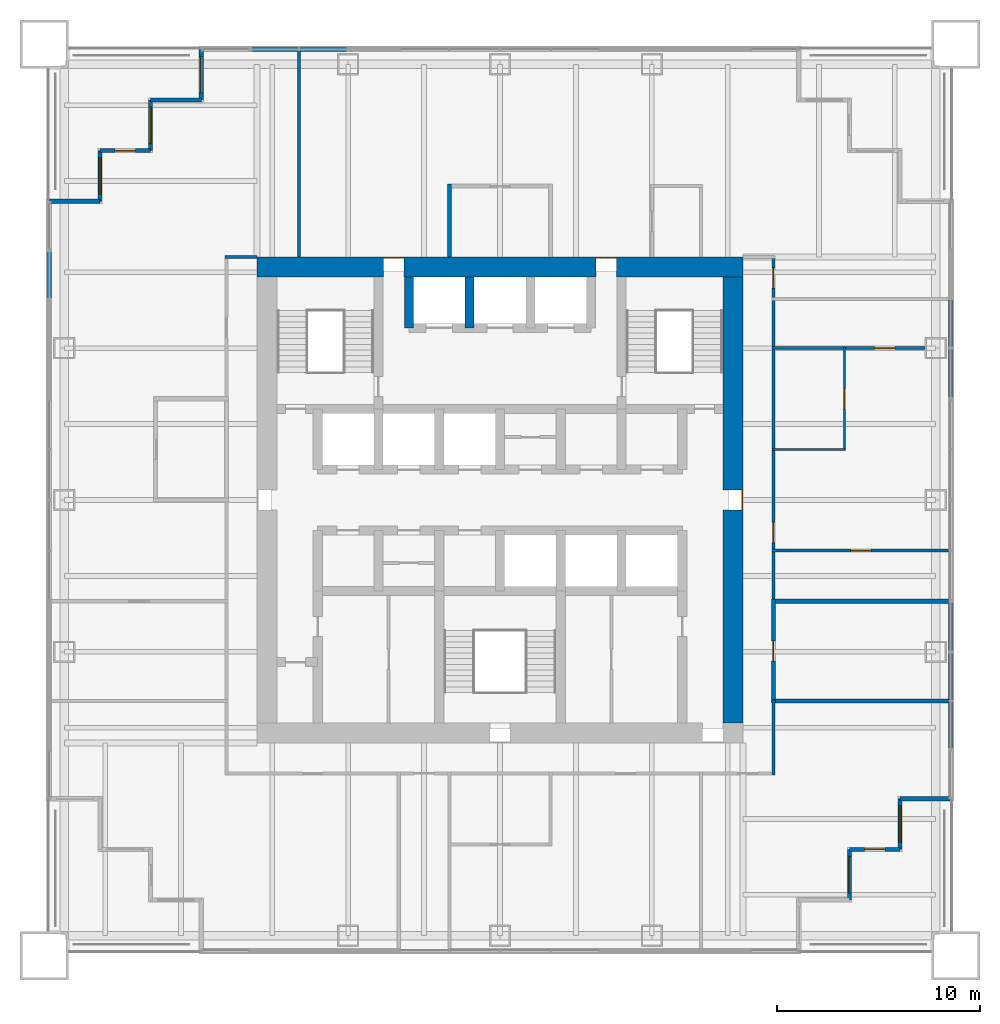
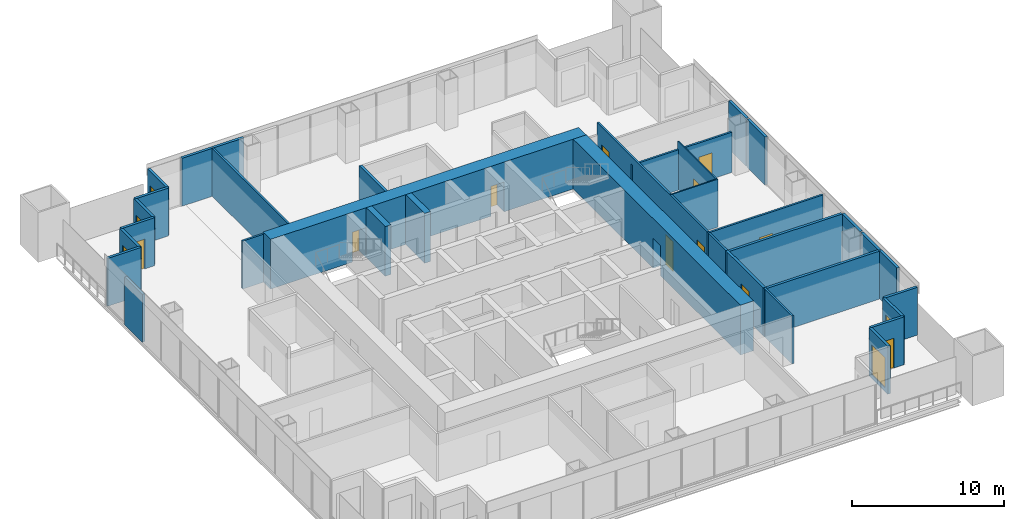
# One storey, part 10 of 13: 34 walls, 11 doors, 5 windows, 16 openings.
"""IFC4 building model written with IfcOpenShell, lengths in metres."""

from ifc_helpers import new_model, si_unit, direction, frame, frame_2d, origin, place, context, subcontext, project, spatial, rectangle, extrude, material, layer, layer_set, type_object, element, fill, save


model = new_model("IFC4")

# Units and contexts
model_context = context("Model", 3, precision=1e-05, world=origin(), true_north=direction((0.0, 1.0)))
body_context = subcontext(model_context, "Body", "Model", "MODEL_VIEW")
ifc_project = project(units=[si_unit("LENGTHUNIT", "METRE"), si_unit("AREAUNIT", "SQUARE_METRE"), si_unit("VOLUMEUNIT", "CUBIC_METRE"), si_unit("PLANEANGLEUNIT", "RADIAN"), si_unit("MASSUNIT", "GRAM", prefix="KILO")], contexts=[model_context])

# Site, building, storey
site_placement = place(None, origin())
site = spatial("IfcSite", under=ifc_project, at=site_placement, CompositionType="ELEMENT")
building_placement = place(site_placement, origin())
building = spatial("IfcBuilding", under=site, at=building_placement, Name="Tarangal Relay Tower", CompositionType="ELEMENT")
storey_placement = place(building_placement, frame((0.0, 0.0, 201.89990234375)))
storey = spatial("IfcBuildingStorey", under=building, at=storey_placement, Name="L42", CompositionType="ELEMENT", Elevation=201.89990234375)

# Walls
ifc_material_1 = material(Name="Two layers gypsum board each side on twin steel studs, mineral wool", Category="steel")
ifc_layer_1 = layer(ifc_material_1, 0.199951171875)
ifc_layer_set_1 = layer_set([ifc_layer_1], Name="Acoustic partition 200")
wall_type_1 = type_object("IfcWallType", Name="Acoustic partition 200", PredefinedType="PARTITIONING", material=ifc_layer_set_1)
for number, where, z_axis, x_axis, name in (
    (1, (13.39990234375, -9.9169921875, 0.0), (0.0, 0.0, 1.0), (1.0, 0.0, 0.0), "Partition PT2 L42"),
    (2, (13.39990234375, -5.0, 0.0), (0.0, 0.0, 1.0), (1.0, 0.0, 0.0), "Partition PT2 L42"),
):
    element("IfcWall", number, at=place(storey_placement, frame(where, z_axis=z_axis, x_axis=x_axis)), inside=storey, type_object=wall_type_1, Name=name, PredefinedType="PARTITIONING", context=body_context, shape_type="SweptSolid", body=[
        extrude(rectangle(XDim=8.75, YDim=0.199951171875, at=frame_2d((4.375, 0.0))), origin(), (0.0, 0.0, 1.0), 3.85009765625),
    ])
wall_1_placement = place(storey_placement, frame((-2.5, 12.0, 0.0), z_axis=(0.0, 0.0, 1.0), x_axis=(0.0, 1.0, 0.0)))
element("IfcWall", 3, at=wall_1_placement, inside=storey, type_object=wall_type_1, Name="Partition PT2 L42", PredefinedType="PARTITIONING", context=body_context, shape_type="SweptSolid", body=[
    extrude(rectangle(XDim=3.60009765625, YDim=0.199951171875, at=frame_2d((1.800048828125, 0.0))), origin(), (0.0, 0.0, 1.0), 3.85009765625),
])

# Wall, opening, door
wall_2_placement = place(storey_placement, frame((13.5, -10.01708984375, 0.0), z_axis=(0.0, 0.0, 1.0), x_axis=(0.0, 1.0, 0.0)))
wall_2 = element("IfcWall", 4, at=wall_2_placement, inside=storey, type_object=wall_type_1, Name="Partition PT2 L42", PredefinedType="PARTITIONING", context=body_context, shape_type="SweptSolid", body=[
    extrude(rectangle(XDim=5.1171875, YDim=0.199951171875, at=frame_2d((2.55859375, 0.0))), origin(), (0.0, 0.0, 1.0), 3.85009765625),
])
opening_1_placement = place(wall_2_placement, frame((2.05859375, 0.0, 0.0)))
opening_1 = element("IfcOpeningElement", 5, at=opening_1_placement, cuts=wall_2, Name="Opening SD1", PredefinedType="OPENING", context=body_context, shape_type="SweptSolid", body=[
    extrude(rectangle(XDim=1.0, YDim=2.39990234375, at=frame_2d((0.5, 1.199951171875))), frame((0.0, 0.10986328125, 0.0), z_axis=(0.0, -1.0, 0.0), x_axis=(1.0, 0.0, 0.0)), (0.0, 0.0, 1.0), 0.219970703125),
])
ifc_material_2 = material(Name="Steel door with hardwood frame", Category="steel")
door_type_1 = type_object("IfcDoorType", Name="Suite entrance door 1000 x 2400", OperationType="SINGLE_SWING_RIGHT", PredefinedType="DOOR", material=ifc_material_2)
door_1_placement = place(opening_1_placement, origin())
door_1 = element("IfcDoor", 6, at=door_1_placement, inside=storey, type_object=door_type_1, Name="Door SD1 to boardroom L42-08", OperationType="SINGLE_SWING_RIGHT", OverallHeight=2.39990234375, OverallWidth=1.0, PredefinedType="DOOR", context=body_context, shape_type="SweptSolid", body=[
    extrude(rectangle(XDim=1.0, YDim=2.39990234375, at=frame_2d((0.5, 1.199951171875))), frame((0.0, 0.02490234375, 0.0), z_axis=(0.0, -1.0, 0.0), x_axis=(1.0, 0.0, 0.0)), (0.0, 0.0, 1.0), 0.050048828125),
])
fill(opening_1, door_1)

# Walls
ifc_material_3 = material(Name="Concrete fc' 60 MPa", Category="concrete")
ifc_layer_2 = layer(ifc_material_3, 0.449951171875)
ifc_layer_set_2 = layer_set([ifc_layer_2], Name="Core inner wall 450")
wall_type_2 = type_object("IfcWallType", Name="Core inner wall 450", PredefinedType="SHEAR", material=ifc_layer_set_2)
for number, where, z_axis, x_axis, name in (
    (7, (-4.5, 8.5, 0.0), (0.0, 0.0, 1.0), (0.0, 1.0, 0.0), "Core wall XM45 L42"),
    (8, (-1.5, 8.5, 0.0), (0.0, 0.0, 1.0), (0.0, 1.0, 0.0), "Core wall XM15 L42"),
):
    element("IfcWall", number, at=place(storey_placement, frame(where, z_axis=z_axis, x_axis=x_axis)), inside=storey, type_object=wall_type_2, Name=name, PredefinedType="SHEAR", context=body_context, shape_type="SweptSolid", body=[
        extrude(rectangle(XDim=2.5, YDim=0.449951171875, at=frame_2d((1.25, 0.0))), origin(), (0.0, 0.0, 1.0), 4.0),
    ])

# Wall, openings, doors
ifc_layer_3 = layer(ifc_material_3, 1.0)
ifc_layer_set_3 = layer_set([ifc_layer_3], Name="Core wall 1000")
wall_type_3 = type_object("IfcWallType", Name="Core wall 1000", PredefinedType="SHEAR", material=ifc_layer_set_3)
wall_3_placement = place(storey_placement, frame((-12.0, 11.5, 0.0), z_axis=(0.0, 0.0, 1.0), x_axis=(1.0, 0.0, 0.0)))
wall_3 = element("IfcWall", 9, at=wall_3_placement, inside=storey, type_object=wall_type_3, Name="Core wall N L42", PredefinedType="SHEAR", context=body_context, shape_type="SweptSolid", body=[
    extrude(rectangle(XDim=24.0, YDim=1.0, at=frame_2d((12.0, 0.0))), origin(), (0.0, 0.0, 1.0), 4.0),
])
opening_2_placement = place(wall_3_placement, frame((6.25, 0.0, 0.0)))
opening_2 = element("IfcOpeningElement", 10, at=opening_2_placement, cuts=wall_3, Name="Opening FD3", PredefinedType="OPENING", context=body_context, shape_type="SweptSolid", body=[
    extrude(rectangle(XDim=1.0, YDim=2.39990234375, at=frame_2d((0.5, 1.199951171875))), frame((0.0, 0.510009765625, 0.0), z_axis=(0.0, -1.0, 0.0), x_axis=(1.0, 0.0, 0.0)), (0.0, 0.0, 1.0), 1.02001953125),
])
opening_3_placement = place(wall_3_placement, frame((16.75, 0.0, 0.0)))
opening_3 = element("IfcOpeningElement", 11, at=opening_3_placement, cuts=wall_3, Name="Opening FD3", PredefinedType="OPENING", context=body_context, shape_type="SweptSolid", body=[
    extrude(rectangle(XDim=1.0, YDim=2.39990234375, at=frame_2d((0.5, 1.199951171875))), frame((0.0, 0.510009765625, 0.0), z_axis=(0.0, -1.0, 0.0), x_axis=(1.0, 0.0, 0.0)), (0.0, 0.0, 1.0), 1.02001953125),
])
door_type_2 = type_object("IfcDoorType", Name="Fire door 1000 x 2400 core entry", OperationType="SINGLE_SWING_RIGHT", PredefinedType="DOOR", material=ifc_material_2)
door_2_placement = place(opening_2_placement, origin())
door_2 = element("IfcDoor", 12, at=door_2_placement, inside=storey, type_object=door_type_2, Name="Core entry door north west L42", OperationType="SINGLE_SWING_RIGHT", OverallHeight=2.39990234375, OverallWidth=1.0, PredefinedType="DOOR", context=body_context, shape_type="SweptSolid", body=[
    extrude(rectangle(XDim=1.0, YDim=2.39990234375, at=frame_2d((0.5, 1.199951171875))), frame((0.0, 0.48486328125, 0.0), z_axis=(0.0, -1.0, 0.0), x_axis=(1.0, 0.0, 0.0)), (0.0, 0.0, 1.0), 0.050048828125),
])
fill(opening_2, door_2)
door_3_placement = place(opening_3_placement, origin())
door_3 = element("IfcDoor", 13, at=door_3_placement, inside=storey, type_object=door_type_2, Name="Core entry door north east L42", OperationType="SINGLE_SWING_RIGHT", OverallHeight=2.39990234375, OverallWidth=1.0, PredefinedType="DOOR", context=body_context, shape_type="SweptSolid", body=[
    extrude(rectangle(XDim=1.0, YDim=2.39990234375, at=frame_2d((0.5, 1.199951171875))), frame((0.0, 0.48486328125, 0.0), z_axis=(0.0, -1.0, 0.0), x_axis=(1.0, 0.0, 0.0)), (0.0, 0.0, 1.0), 0.050048828125),
])
fill(opening_3, door_3)

# Wall, opening, door
wall_4_placement = place(storey_placement, frame((11.5, 11.0, 0.0), z_axis=(0.0, 0.0, 1.0), x_axis=(0.0, -1.0, 0.0)))
wall_4 = element("IfcWall", 14, at=wall_4_placement, inside=storey, type_object=wall_type_3, Name="Core wall E L42", PredefinedType="SHEAR", context=body_context, shape_type="SweptSolid", body=[
    extrude(rectangle(XDim=22.0, YDim=1.0, at=frame_2d((11.0, 0.0))), origin(), (0.0, 0.0, 1.0), 4.0),
])
opening_4_placement = place(wall_4_placement, frame((10.5, 0.0, 0.0)))
opening_4 = element("IfcOpeningElement", 15, at=opening_4_placement, cuts=wall_4, Name="Opening FD3", PredefinedType="OPENING", context=body_context, shape_type="SweptSolid", body=[
    extrude(rectangle(XDim=1.0, YDim=2.39990234375, at=frame_2d((0.5, 1.199951171875))), frame((0.0, 0.510009765625, 0.0), z_axis=(0.0, -1.0, 0.0), x_axis=(1.0, 0.0, 0.0)), (0.0, 0.0, 1.0), 1.02001953125),
])
door_4_placement = place(opening_4_placement, origin())
door_4 = element("IfcDoor", 16, at=door_4_placement, inside=storey, type_object=door_type_2, Name="Core entry door east L42", OperationType="SINGLE_SWING_RIGHT", OverallHeight=2.39990234375, OverallWidth=1.0, PredefinedType="DOOR", context=body_context, shape_type="SweptSolid", body=[
    extrude(rectangle(XDim=1.0, YDim=2.39990234375, at=frame_2d((0.5, 1.199951171875))), frame((0.0, 0.48486328125, 0.0), z_axis=(0.0, -1.0, 0.0), x_axis=(1.0, 0.0, 0.0)), (0.0, 0.0, 1.0), 0.050048828125),
])
fill(opening_4, door_4)

# Wall
ifc_material_4 = material(Name="Black metal clad insulated wall", Category="steel")
ifc_layer_4 = layer(ifc_material_4, 0.199951171875)
ifc_layer_set_4 = layer_set([ifc_layer_4], Name="Corner wall metal clad 200")
wall_type_4 = type_object("IfcWallType", Name="Corner wall metal clad 200", PredefinedType="SOLIDWALL", material=ifc_layer_set_4)
wall_5_placement = place(storey_placement, frame((22.25, -14.75, 0.0), z_axis=(0.0, 0.0, 1.0), x_axis=(-1.0, 0.0, 0.0)))
element("IfcWall", 17, at=wall_5_placement, inside=storey, type_object=wall_type_4, Name="Facade wall E facade L42", PredefinedType="SOLIDWALL", context=body_context, shape_type="SweptSolid", body=[
    extrude(rectangle(XDim=2.5, YDim=0.199951171875, at=frame_2d((1.25, 0.0))), origin(), (0.0, 0.0, 1.0), 3.85009765625),
])

# Wall, opening, window
wall_6_placement = place(storey_placement, frame((19.75, -14.75, 0.0), z_axis=(0.0, 0.0, 1.0), x_axis=(0.0, -1.0, 0.0)))
wall_6 = element("IfcWall", 18, at=wall_6_placement, inside=storey, type_object=wall_type_4, Name="Facade wall E facade L42", PredefinedType="SOLIDWALL", context=body_context, shape_type="SweptSolid", body=[
    extrude(rectangle(XDim=2.5, YDim=0.199951171875, at=frame_2d((1.25, 0.0))), origin(), (0.0, 0.0, 1.0), 3.85009765625),
])
opening_5_placement = place(wall_6_placement, frame((0.35009765625, 0.0, 0.300048828125)))
opening_5 = element("IfcOpeningElement", 19, at=opening_5_placement, cuts=wall_6, Name="Opening WN2", PredefinedType="OPENING", context=body_context, shape_type="SweptSolid", body=[
    extrude(rectangle(XDim=1.800048828125, YDim=2.39990234375, at=frame_2d((0.89990234375, 1.199951171875))), frame((0.0, 0.10986328125, 0.0), z_axis=(0.0, -1.0, 0.0), x_axis=(1.0, 0.0, 0.0)), (0.0, 0.0, 1.0), 0.219970703125),
])
ifc_material_5 = material(Name="Dark tinted double glazing in black aluminium frame", Category="aluminium")
window_type = type_object("IfcWindowType", Name="Corner window 1800 x 2400", PartitioningType="SINGLE_PANEL", PredefinedType="WINDOW", material=ifc_material_5)
window_1_placement = place(opening_5_placement, origin())
window_1 = element("IfcWindow", 20, at=window_1_placement, inside=storey, type_object=window_type, Name="Corner window WN2 E facade L42", OverallHeight=2.39990234375, OverallWidth=1.800048828125, PartitioningType="SINGLE_PANEL", PredefinedType="WINDOW", context=body_context, shape_type="SweptSolid", body=[
    extrude(rectangle(XDim=1.800048828125, YDim=2.39990234375, at=frame_2d((0.89990234375, 1.199951171875))), frame((0.0, 0.030029296875, 0.0), z_axis=(0.0, -1.0, 0.0), x_axis=(1.0, 0.0, 0.0)), (0.0, 0.0, 1.0), 0.06005859375),
])
fill(opening_5, window_1)

# Wall, opening, door
wall_7_placement = place(storey_placement, frame((19.75, -17.25, 0.0), z_axis=(0.0, 0.0, 1.0), x_axis=(-1.0, 0.0, 0.0)))
wall_7 = element("IfcWall", 21, at=wall_7_placement, inside=storey, type_object=wall_type_4, Name="Facade wall E facade L42", PredefinedType="SOLIDWALL", context=body_context, shape_type="SweptSolid", body=[
    extrude(rectangle(XDim=2.5, YDim=0.199951171875, at=frame_2d((1.25, 0.0))), origin(), (0.0, 0.0, 1.0), 3.85009765625),
])
opening_6_placement = place(wall_7_placement, frame((0.75, 0.0, 0.0)))
opening_6 = element("IfcOpeningElement", 22, at=opening_6_placement, cuts=wall_7, Name="Opening TD1", PredefinedType="OPENING", context=body_context, shape_type="SweptSolid", body=[
    extrude(rectangle(XDim=1.0, YDim=2.39990234375, at=frame_2d((0.5, 1.199951171875))), frame((0.0, 0.10986328125, 0.0), z_axis=(0.0, -1.0, 0.0), x_axis=(1.0, 0.0, 0.0)), (0.0, 0.0, 1.0), 0.219970703125),
])
ifc_material_6 = material(Name="Aluminium glazed door", Category="aluminium")
door_type_3 = type_object("IfcDoorType", Name="Terrace door 1000 x 2400", OperationType="SINGLE_SWING_RIGHT", PredefinedType="DOOR", material=ifc_material_6)
door_5_placement = place(opening_6_placement, origin())
door_5 = element("IfcDoor", 23, at=door_5_placement, inside=storey, type_object=door_type_3, Name="Terrace door TD1 SE L42", OperationType="SINGLE_SWING_RIGHT", OverallHeight=2.39990234375, OverallWidth=1.0, PredefinedType="DOOR", context=body_context, shape_type="SweptSolid", body=[
    extrude(rectangle(XDim=1.0, YDim=2.39990234375, at=frame_2d((0.5, 1.199951171875))), frame((0.0, 0.02490234375, 0.0), z_axis=(0.0, -1.0, 0.0), x_axis=(1.0, 0.0, 0.0)), (0.0, 0.0, 1.0), 0.050048828125),
])
fill(opening_6, door_5)

# Wall, opening, window
wall_8_placement = place(storey_placement, frame((17.25, -17.25, 0.0), z_axis=(0.0, 0.0, 1.0), x_axis=(0.0, -1.0, 0.0)))
wall_8 = element("IfcWall", 24, at=wall_8_placement, inside=storey, type_object=wall_type_4, Name="Facade wall E facade L42", PredefinedType="SOLIDWALL", context=body_context, shape_type="SweptSolid", body=[
    extrude(rectangle(XDim=2.5, YDim=0.199951171875, at=frame_2d((1.25, 0.0))), origin(), (0.0, 0.0, 1.0), 3.85009765625),
])
opening_7_placement = place(wall_8_placement, frame((0.35009765625, 0.0, 0.300048828125)))
opening_7 = element("IfcOpeningElement", 25, at=opening_7_placement, cuts=wall_8, Name="Opening WN2", PredefinedType="OPENING", context=body_context, shape_type="SweptSolid", body=[
    extrude(rectangle(XDim=1.800048828125, YDim=2.39990234375, at=frame_2d((0.89990234375, 1.199951171875))), frame((0.0, 0.10986328125, 0.0), z_axis=(0.0, -1.0, 0.0), x_axis=(1.0, 0.0, 0.0)), (0.0, 0.0, 1.0), 0.219970703125),
])
window_2_placement = place(opening_7_placement, origin())
window_2 = element("IfcWindow", 26, at=window_2_placement, inside=storey, type_object=window_type, Name="Corner window WN2 E facade L42", OverallHeight=2.39990234375, OverallWidth=1.800048828125, PartitioningType="SINGLE_PANEL", PredefinedType="WINDOW", context=body_context, shape_type="SweptSolid", body=[
    extrude(rectangle(XDim=1.800048828125, YDim=2.39990234375, at=frame_2d((0.89990234375, 1.199951171875))), frame((0.0, 0.030029296875, 0.0), z_axis=(0.0, -1.0, 0.0), x_axis=(1.0, 0.0, 0.0)), (0.0, 0.0, 1.0), 0.06005859375),
])
fill(opening_7, window_2)

# Wall
wall_9_placement = place(storey_placement, frame((-22.25, 14.75, 0.0), z_axis=(0.0, 0.0, 1.0), x_axis=(1.0, 0.0, 0.0)))
element("IfcWall", 27, at=wall_9_placement, inside=storey, type_object=wall_type_4, Name="Facade wall W facade L42", PredefinedType="SOLIDWALL", context=body_context, shape_type="SweptSolid", body=[
    extrude(rectangle(XDim=2.5, YDim=0.199951171875, at=frame_2d((1.25, 0.0))), origin(), (0.0, 0.0, 1.0), 3.85009765625),
])

# Wall, opening, window
wall_10_placement = place(storey_placement, frame((-19.75, 14.75, 0.0), z_axis=(0.0, 0.0, 1.0), x_axis=(0.0, 1.0, 0.0)))
wall_10 = element("IfcWall", 28, at=wall_10_placement, inside=storey, type_object=wall_type_4, Name="Facade wall W facade L42", PredefinedType="SOLIDWALL", context=body_context, shape_type="SweptSolid", body=[
    extrude(rectangle(XDim=2.5, YDim=0.199951171875, at=frame_2d((1.25, 0.0))), origin(), (0.0, 0.0, 1.0), 3.85009765625),
])
opening_8_placement = place(wall_10_placement, frame((0.35009765625, 0.0, 0.300048828125)))
opening_8 = element("IfcOpeningElement", 29, at=opening_8_placement, cuts=wall_10, Name="Opening WN2", PredefinedType="OPENING", context=body_context, shape_type="SweptSolid", body=[
    extrude(rectangle(XDim=1.800048828125, YDim=2.39990234375, at=frame_2d((0.89990234375, 1.199951171875))), frame((0.0, 0.10986328125, 0.0), z_axis=(0.0, -1.0, 0.0), x_axis=(1.0, 0.0, 0.0)), (0.0, 0.0, 1.0), 0.219970703125),
])
window_3_placement = place(opening_8_placement, origin())
window_3 = element("IfcWindow", 30, at=window_3_placement, inside=storey, type_object=window_type, Name="Corner window WN2 W facade L42", OverallHeight=2.39990234375, OverallWidth=1.800048828125, PartitioningType="SINGLE_PANEL", PredefinedType="WINDOW", context=body_context, shape_type="SweptSolid", body=[
    extrude(rectangle(XDim=1.800048828125, YDim=2.39990234375, at=frame_2d((0.89990234375, 1.199951171875))), frame((0.0, 0.030029296875, 0.0), z_axis=(0.0, -1.0, 0.0), x_axis=(1.0, 0.0, 0.0)), (0.0, 0.0, 1.0), 0.06005859375),
])
fill(opening_8, window_3)

# Wall, opening, door
wall_11_placement = place(storey_placement, frame((-19.75, 17.25, 0.0), z_axis=(0.0, 0.0, 1.0), x_axis=(1.0, 0.0, 0.0)))
wall_11 = element("IfcWall", 31, at=wall_11_placement, inside=storey, type_object=wall_type_4, Name="Facade wall W facade L42", PredefinedType="SOLIDWALL", context=body_context, shape_type="SweptSolid", body=[
    extrude(rectangle(XDim=2.5, YDim=0.199951171875, at=frame_2d((1.25, 0.0))), origin(), (0.0, 0.0, 1.0), 3.85009765625),
])
opening_9_placement = place(wall_11_placement, frame((0.75, 0.0, 0.0)))
opening_9 = element("IfcOpeningElement", 32, at=opening_9_placement, cuts=wall_11, Name="Opening TD1", PredefinedType="OPENING", context=body_context, shape_type="SweptSolid", body=[
    extrude(rectangle(XDim=1.0, YDim=2.39990234375, at=frame_2d((0.5, 1.199951171875))), frame((0.0, 0.10986328125, 0.0), z_axis=(0.0, -1.0, 0.0), x_axis=(1.0, 0.0, 0.0)), (0.0, 0.0, 1.0), 0.219970703125),
])
door_6_placement = place(opening_9_placement, origin())
door_6 = element("IfcDoor", 33, at=door_6_placement, inside=storey, type_object=door_type_3, Name="Terrace door TD1 NW L42", OperationType="SINGLE_SWING_RIGHT", OverallHeight=2.39990234375, OverallWidth=1.0, PredefinedType="DOOR", context=body_context, shape_type="SweptSolid", body=[
    extrude(rectangle(XDim=1.0, YDim=2.39990234375, at=frame_2d((0.5, 1.199951171875))), frame((0.0, 0.02490234375, 0.0), z_axis=(0.0, -1.0, 0.0), x_axis=(1.0, 0.0, 0.0)), (0.0, 0.0, 1.0), 0.050048828125),
])
fill(opening_9, door_6)

# Wall, opening, window
wall_12_placement = place(storey_placement, frame((-17.25, 17.25, 0.0), z_axis=(0.0, 0.0, 1.0), x_axis=(0.0, 1.0, 0.0)))
wall_12 = element("IfcWall", 34, at=wall_12_placement, inside=storey, type_object=wall_type_4, Name="Facade wall W facade L42", PredefinedType="SOLIDWALL", context=body_context, shape_type="SweptSolid", body=[
    extrude(rectangle(XDim=2.5, YDim=0.199951171875, at=frame_2d((1.25, 0.0))), origin(), (0.0, 0.0, 1.0), 3.85009765625),
])
opening_10_placement = place(wall_12_placement, frame((0.35009765625, 0.0, 0.300048828125)))
opening_10 = element("IfcOpeningElement", 35, at=opening_10_placement, cuts=wall_12, Name="Opening WN2", PredefinedType="OPENING", context=body_context, shape_type="SweptSolid", body=[
    extrude(rectangle(XDim=1.800048828125, YDim=2.39990234375, at=frame_2d((0.89990234375, 1.199951171875))), frame((0.0, 0.10986328125, 0.0), z_axis=(0.0, -1.0, 0.0), x_axis=(1.0, 0.0, 0.0)), (0.0, 0.0, 1.0), 0.219970703125),
])
window_4_placement = place(opening_10_placement, origin())
window_4 = element("IfcWindow", 36, at=window_4_placement, inside=storey, type_object=window_type, Name="Corner window WN2 W facade L42", OverallHeight=2.39990234375, OverallWidth=1.800048828125, PartitioningType="SINGLE_PANEL", PredefinedType="WINDOW", context=body_context, shape_type="SweptSolid", body=[
    extrude(rectangle(XDim=1.800048828125, YDim=2.39990234375, at=frame_2d((0.89990234375, 1.199951171875))), frame((0.0, 0.030029296875, 0.0), z_axis=(0.0, -1.0, 0.0), x_axis=(1.0, 0.0, 0.0)), (0.0, 0.0, 1.0), 0.06005859375),
])
fill(opening_10, window_4)

# Wall
wall_13_placement = place(storey_placement, frame((-17.25, 19.75, 0.0), z_axis=(0.0, 0.0, 1.0), x_axis=(1.0, 0.0, 0.0)))
element("IfcWall", 37, at=wall_13_placement, inside=storey, type_object=wall_type_4, Name="Facade wall W facade L42", PredefinedType="SOLIDWALL", context=body_context, shape_type="SweptSolid", body=[
    extrude(rectangle(XDim=2.5, YDim=0.199951171875, at=frame_2d((1.25, 0.0))), origin(), (0.0, 0.0, 1.0), 3.85009765625),
])

# Wall, opening, window
wall_14_placement = place(storey_placement, frame((-14.75, 19.75, 0.0), z_axis=(0.0, 0.0, 1.0), x_axis=(0.0, 1.0, 0.0)))
wall_14 = element("IfcWall", 38, at=wall_14_placement, inside=storey, type_object=wall_type_4, Name="Facade wall W facade L42", PredefinedType="SOLIDWALL", context=body_context, shape_type="SweptSolid", body=[
    extrude(rectangle(XDim=2.5, YDim=0.199951171875, at=frame_2d((1.25, 0.0))), origin(), (0.0, 0.0, 1.0), 3.85009765625),
])
opening_11_placement = place(wall_14_placement, frame((0.35009765625, 0.0, 0.300048828125)))
opening_11 = element("IfcOpeningElement", 39, at=opening_11_placement, cuts=wall_14, Name="Opening WN2", PredefinedType="OPENING", context=body_context, shape_type="SweptSolid", body=[
    extrude(rectangle(XDim=1.800048828125, YDim=2.39990234375, at=frame_2d((0.89990234375, 1.199951171875))), frame((0.0, 0.10986328125, 0.0), z_axis=(0.0, -1.0, 0.0), x_axis=(1.0, 0.0, 0.0)), (0.0, 0.0, 1.0), 0.219970703125),
])
window_5_placement = place(opening_11_placement, origin())
window_5 = element("IfcWindow", 40, at=window_5_placement, inside=storey, type_object=window_type, Name="Corner window WN2 W facade L42", OverallHeight=2.39990234375, OverallWidth=1.800048828125, PartitioningType="SINGLE_PANEL", PredefinedType="WINDOW", context=body_context, shape_type="SweptSolid", body=[
    extrude(rectangle(XDim=1.800048828125, YDim=2.39990234375, at=frame_2d((0.89990234375, 1.199951171875))), frame((0.0, 0.030029296875, 0.0), z_axis=(0.0, -1.0, 0.0), x_axis=(1.0, 0.0, 0.0)), (0.0, 0.0, 1.0), 0.06005859375),
])
fill(opening_11, window_5)

# Walls
ifc_layer_5 = layer(ifc_material_4, 0.199951171875)
ifc_layer_set_5 = layer_set([ifc_layer_5], Name="Facade infill wall metal clad 200")
wall_type_5 = type_object("IfcWallType", Name="Facade infill wall metal clad 200", PredefinedType="SOLIDWALL", material=ifc_layer_set_5)
for number, where, z_axis, x_axis, name in (
    (41, (-12.268310546875, 22.25, 0.0), (0.0, 0.0, 1.0), (1.0, 0.0, 0.0), "Facade infill wall N facade L42 1.1"),
    (42, (-9.884033203125, 22.25, 0.0), (0.0, 0.0, 1.0), (1.0, 0.0, 0.0), "Facade infill wall N facade L42 2.1"),
    (43, (22.25, 9.884033203125, 0.0), (0.0, 0.0, 1.0), (0.0, -1.0, 0.0), "Facade infill wall E facade L42 2.1"),
):
    element("IfcWall", number, at=place(storey_placement, frame(where, z_axis=z_axis, x_axis=x_axis)), inside=storey, type_object=wall_type_5, Name=name, PredefinedType="SOLIDWALL", context=body_context, shape_type="SweptSolid", body=[
        extrude(rectangle(XDim=2.319091796875, YDim=0.199951171875, at=frame_2d((1.15966796875, 0.0))), origin(), (0.0, 0.0, 1.0), 3.85009765625),
    ])
for number, where, z_axis, x_axis, name in (
    (44, (22.25, 7.43505859375, 0.0), (0.0, 0.0, 1.0), (0.0, -1.0, 0.0), "Facade infill wall E facade L42 1.1"),
    (45, (22.25, -5.06494140625, 0.0), (0.0, 0.0, 1.0), (0.0, -1.0, 0.0), "Facade infill wall E facade L42 1.1"),
):
    element("IfcWall", number, at=place(storey_placement, frame(where, z_axis=z_axis, x_axis=x_axis)), inside=storey, type_object=wall_type_5, Name=name, PredefinedType="SOLIDWALL", context=body_context, shape_type="SweptSolid", body=[
        extrude(rectangle(XDim=2.3701171875, YDim=0.199951171875, at=frame_2d((1.18505859375, 0.0))), origin(), (0.0, 0.0, 1.0), 3.85009765625),
    ])
for number, where, z_axis, x_axis, name in (
    (46, (22.25, -7.56494140625, 0.0), (0.0, 0.0, 1.0), (0.0, -1.0, 0.0), "Facade infill wall E facade L42 1.1"),
    (47, (22.25, -9.94921875, 0.0), (0.0, 0.0, 1.0), (0.0, -1.0, 0.0), "Facade infill wall E facade L42 2.1"),
    (48, (-22.25, 9.94921875, 0.0), (0.0, 0.0, 1.0), (0.0, 1.0, 0.0), "Facade infill wall W facade L42 2.1"),
):
    element("IfcWall", number, at=place(storey_placement, frame(where, z_axis=z_axis, x_axis=x_axis)), inside=storey, type_object=wall_type_5, Name=name, PredefinedType="SOLIDWALL", context=body_context, shape_type="SweptSolid", body=[
        extrude(rectangle(XDim=2.319091796875, YDim=0.199951171875, at=frame_2d((1.15966796875, 0.0))), origin(), (0.0, 0.0, 1.0), 3.85009765625),
    ])
ifc_material_7 = material(Name="Double glazed aluminium framed partition", Category="aluminium")
ifc_layer_6 = layer(ifc_material_7, 0.10009765625)
ifc_layer_set_6 = layer_set([ifc_layer_6], Name="Glazed partition 100")
wall_type_6 = type_object("IfcWallType", Name="Glazed partition 100", PredefinedType="PARTITIONING", material=ifc_layer_set_6)
wall_15_placement = place(storey_placement, frame((13.449951171875, 2.5, 0.0), z_axis=(0.0, 0.0, 1.0), x_axis=(1.0, 0.0, 0.0)))
element("IfcWall", 49, at=wall_15_placement, inside=storey, type_object=wall_type_6, Name="Partition PT3 L42", PredefinedType="PARTITIONING", context=body_context, shape_type="SweptSolid", body=[
    extrude(rectangle(XDim=3.60009765625, YDim=0.10009765625, at=frame_2d((1.800048828125, 0.0))), origin(), (0.0, 0.0, 1.0), 3.85009765625),
])

# Wall, opening, door
wall_16_placement = place(storey_placement, frame((17.0, 2.449951171875, 0.0), z_axis=(0.0, 0.0, 1.0), x_axis=(0.0, 1.0, 0.0)))
wall_16 = element("IfcWall", 50, at=wall_16_placement, inside=storey, type_object=wall_type_6, Name="Partition PT3 L42", PredefinedType="PARTITIONING", context=body_context, shape_type="SweptSolid", body=[
    extrude(rectangle(XDim=5.10009765625, YDim=0.10009765625, at=frame_2d((2.550048828125, 0.0))), origin(), (0.0, 0.0, 1.0), 3.85009765625),
])
opening_12_placement = place(wall_16_placement, frame((2.050048828125, 0.0, 0.0)))
opening_12 = element("IfcOpeningElement", 51, at=opening_12_placement, cuts=wall_16, Name="Opening D3", PredefinedType="OPENING", context=body_context, shape_type="SweptSolid", body=[
    extrude(rectangle(XDim=1.0, YDim=2.10009765625, at=frame_2d((0.5, 1.050048828125))), frame((0.0, 0.06005859375, 0.0), z_axis=(0.0, -1.0, 0.0), x_axis=(1.0, 0.0, 0.0)), (0.0, 0.0, 1.0), 0.1201171875),
])
ifc_material_8 = material(Name="Frameless glass door", Category="glass")
door_type_4 = type_object("IfcDoorType", Name="Glazed door 1000 x 2100", OperationType="SINGLE_SWING_LEFT", PredefinedType="DOOR", material=ifc_material_8)
door_7_placement = place(opening_12_placement, origin())
door_7 = element("IfcDoor", 52, at=door_7_placement, inside=storey, type_object=door_type_4, Name="Door D3 to meeting room L42-05", OperationType="SINGLE_SWING_LEFT", OverallHeight=2.10009765625, OverallWidth=1.0, PredefinedType="DOOR", context=body_context, shape_type="SweptSolid", body=[
    extrude(rectangle(XDim=1.0, YDim=2.10009765625, at=frame_2d((0.5, 1.050048828125))), frame((0.0, 0.02490234375, 0.0), z_axis=(0.0, -1.0, 0.0), x_axis=(1.0, 0.0, 0.0)), (0.0, 0.0, 1.0), 0.050048828125),
])
fill(opening_12, door_7)

ifc_material_9 = material(Name="Gypsum board on steel studs", Category="steel")
ifc_layer_7 = layer(ifc_material_9, 0.14990234375)
ifc_layer_set_7 = layer_set([ifc_layer_7], Name="Partition 150")
wall_type_7 = type_object("IfcWallType", Name="Partition 150", PredefinedType="PARTITIONING", material=ifc_layer_set_7)
wall_17_placement = place(storey_placement, frame((13.425048828125, -2.5, 0.0), z_axis=(0.0, 0.0, 1.0), x_axis=(1.0, 0.0, 0.0)))
wall_17 = element("IfcWall", 53, at=wall_17_placement, inside=storey, type_object=wall_type_7, Name="Partition PT1 L42", PredefinedType="PARTITIONING", context=body_context, shape_type="SweptSolid", body=[
    extrude(rectangle(XDim=8.724853515625, YDim=0.14990234375, at=frame_2d((4.3623046875, 0.0))), origin(), (0.0, 0.0, 1.0), 3.85009765625),
])
opening_13_placement = place(wall_17_placement, frame((3.89990234375, 0.0, 0.0)))
opening_13 = element("IfcOpeningElement", 54, at=opening_13_placement, cuts=wall_17, Name="Opening D2", PredefinedType="OPENING", context=body_context, shape_type="SweptSolid", body=[
    extrude(rectangle(XDim=1.0, YDim=2.10009765625, at=frame_2d((0.5, 1.050048828125))), frame((0.0, 0.0849609375, 0.0), z_axis=(0.0, -1.0, 0.0), x_axis=(1.0, 0.0, 0.0)), (0.0, 0.0, 1.0), 0.169921875),
])
ifc_material_10 = material(Name="Hardwood door", Category="wood")
door_type_5 = type_object("IfcDoorType", Name="Door 1000 x 2100", OperationType="SINGLE_SWING_LEFT", PredefinedType="DOOR", material=ifc_material_10)
door_8_placement = place(opening_13_placement, origin())
door_8 = element("IfcDoor", 55, at=door_8_placement, inside=storey, type_object=door_type_5, Name="Door D2 to cellular office L42-07", OperationType="SINGLE_SWING_LEFT", OverallHeight=2.10009765625, OverallWidth=1.0, PredefinedType="DOOR", context=body_context, shape_type="SweptSolid", body=[
    extrude(rectangle(XDim=1.0, YDim=2.10009765625, at=frame_2d((0.5, 1.050048828125))), frame((0.0, 0.02490234375, 0.0), z_axis=(0.0, -1.0, 0.0), x_axis=(1.0, 0.0, 0.0)), (0.0, 0.0, 1.0), 0.050048828125),
])
fill(opening_13, door_8)

wall_18_placement = place(storey_placement, frame((13.425048828125, 7.5, 0.0), z_axis=(0.0, 0.0, 1.0), x_axis=(1.0, 0.0, 0.0)))
wall_18 = element("IfcWall", 56, at=wall_18_placement, inside=storey, type_object=wall_type_7, Name="Partition PT1 L42", PredefinedType="PARTITIONING", context=body_context, shape_type="SweptSolid", body=[
    extrude(rectangle(XDim=7.56494140625, YDim=0.14990234375, at=frame_2d((3.782470703125, 0.0))), origin(), (0.0, 0.0, 1.0), 3.238037109375),
])
opening_14_placement = place(wall_18_placement, frame((5.070068359375, 0.0, 0.0)))
opening_14 = element("IfcOpeningElement", 57, at=opening_14_placement, cuts=wall_18, Name="Opening D2", PredefinedType="OPENING", context=body_context, shape_type="SweptSolid", body=[
    extrude(rectangle(XDim=1.0, YDim=2.10009765625, at=frame_2d((0.5, 1.050048828125))), frame((0.0, 0.0849609375, 0.0), z_axis=(0.0, -1.0, 0.0), x_axis=(1.0, 0.0, 0.0)), (0.0, 0.0, 1.0), 0.169921875),
])
door_9_placement = place(opening_14_placement, origin())
door_9 = element("IfcDoor", 58, at=door_9_placement, inside=storey, type_object=door_type_5, Name="Door D2 to cellular office L42-04", OperationType="SINGLE_SWING_LEFT", OverallHeight=2.10009765625, OverallWidth=1.0, PredefinedType="DOOR", context=body_context, shape_type="SweptSolid", body=[
    extrude(rectangle(XDim=1.0, YDim=2.10009765625, at=frame_2d((0.5, 1.050048828125))), frame((0.0, 0.02490234375, 0.0), z_axis=(0.0, -1.0, 0.0), x_axis=(1.0, 0.0, 0.0)), (0.0, 0.0, 1.0), 0.050048828125),
])
fill(opening_14, door_9)

# Walls
wall_19_placement = place(storey_placement, frame((-13.574951171875, 12.0, 0.0), z_axis=(0.0, 0.0, 1.0), x_axis=(1.0, 0.0, 0.0)))
element("IfcWall", 59, at=wall_19_placement, inside=storey, type_object=wall_type_7, Name="Partition PT1 L42", PredefinedType="PARTITIONING", context=body_context, shape_type="SweptSolid", body=[
    extrude(rectangle(XDim=1.574951171875, YDim=0.14990234375, at=frame_2d((0.78759765625, 0.0))), origin(), (0.0, 0.0, 1.0), 3.85009765625),
])
wall_20_placement = place(storey_placement, frame((-9.9169921875, 12.0, 0.0), z_axis=(0.0, 0.0, 1.0), x_axis=(0.0, 1.0, 0.0)))
element("IfcWall", 60, at=wall_20_placement, inside=storey, type_object=wall_type_7, Name="Partition PT1 L42", PredefinedType="PARTITIONING", context=body_context, shape_type="SweptSolid", body=[
    extrude(rectangle(XDim=10.14990234375, YDim=0.14990234375, at=frame_2d((5.074951171875, 0.0))), origin(), (0.0, 0.0, 1.0), 3.85009765625),
])
wall_21_placement = place(storey_placement, frame((13.5, -13.574951171875, 0.0), z_axis=(0.0, 0.0, 1.0), x_axis=(0.0, 1.0, 0.0)))
element("IfcWall", 61, at=wall_21_placement, inside=storey, type_object=wall_type_7, Name="Partition PT1 L42", PredefinedType="PARTITIONING", context=body_context, shape_type="SweptSolid", body=[
    extrude(rectangle(XDim=3.73291015625, YDim=0.14990234375, at=frame_2d((1.866455078125, 0.0))), origin(), (0.0, 0.0, 1.0), 3.85009765625),
])

# Wall, openings, doors
wall_22_placement = place(storey_placement, frame((13.5, -5.074951171875, 0.0), z_axis=(0.0, 0.0, 1.0), x_axis=(0.0, 1.0, 0.0)))
wall_22 = element("IfcWall", 62, at=wall_22_placement, inside=storey, type_object=wall_type_7, Name="Partition PT1 L42", PredefinedType="PARTITIONING", context=body_context, shape_type="SweptSolid", body=[
    extrude(rectangle(XDim=17.14990234375, YDim=0.14990234375, at=frame_2d((8.574951171875, 0.0))), origin(), (0.0, 0.0, 1.0), 3.85009765625),
])
opening_15_placement = place(wall_22_placement, frame((2.97509765625, 0.0, 0.0)))
opening_15 = element("IfcOpeningElement", 63, at=opening_15_placement, cuts=wall_22, Name="Opening SD1", PredefinedType="OPENING", context=body_context, shape_type="SweptSolid", body=[
    extrude(rectangle(XDim=1.0, YDim=2.39990234375, at=frame_2d((0.5, 1.199951171875))), frame((0.0, 0.0849609375, 0.0), z_axis=(0.0, -1.0, 0.0), x_axis=(1.0, 0.0, 0.0)), (0.0, 0.0, 1.0), 0.169921875),
])
opening_16_placement = place(wall_22_placement, frame((15.533447265625, 0.0, 0.0)))
opening_16 = element("IfcOpeningElement", 64, at=opening_16_placement, cuts=wall_22, Name="Opening SD1", PredefinedType="OPENING", context=body_context, shape_type="SweptSolid", body=[
    extrude(rectangle(XDim=1.0, YDim=2.39990234375, at=frame_2d((0.5, 1.199951171875))), frame((0.0, 0.0849609375, 0.0), z_axis=(0.0, -1.0, 0.0), x_axis=(1.0, 0.0, 0.0)), (0.0, 0.0, 1.0), 0.169921875),
])
door_10_placement = place(opening_15_placement, origin())
door_10 = element("IfcDoor", 65, at=door_10_placement, inside=storey, type_object=door_type_1, Name="Door SD1 to open plan office L42-06", OperationType="SINGLE_SWING_RIGHT", OverallHeight=2.39990234375, OverallWidth=1.0, PredefinedType="DOOR", context=body_context, shape_type="SweptSolid", body=[
    extrude(rectangle(XDim=1.0, YDim=2.39990234375, at=frame_2d((0.5, 1.199951171875))), frame((0.0, 0.02490234375, 0.0), z_axis=(0.0, -1.0, 0.0), x_axis=(1.0, 0.0, 0.0)), (0.0, 0.0, 1.0), 0.050048828125),
])
fill(opening_15, door_10)
door_11_placement = place(opening_16_placement, origin())
door_11 = element("IfcDoor", 66, at=door_11_placement, inside=storey, type_object=door_type_1, Name="Door SD1 to open plan office L42-14", OperationType="SINGLE_SWING_RIGHT", OverallHeight=2.39990234375, OverallWidth=1.0, PredefinedType="DOOR", context=body_context, shape_type="SweptSolid", body=[
    extrude(rectangle(XDim=1.0, YDim=2.39990234375, at=frame_2d((0.5, 1.199951171875))), frame((0.0, 0.02490234375, 0.0), z_axis=(0.0, -1.0, 0.0), x_axis=(1.0, 0.0, 0.0)), (0.0, 0.0, 1.0), 0.050048828125),
])
fill(opening_16, door_11)

save(model, "model.ifc")
